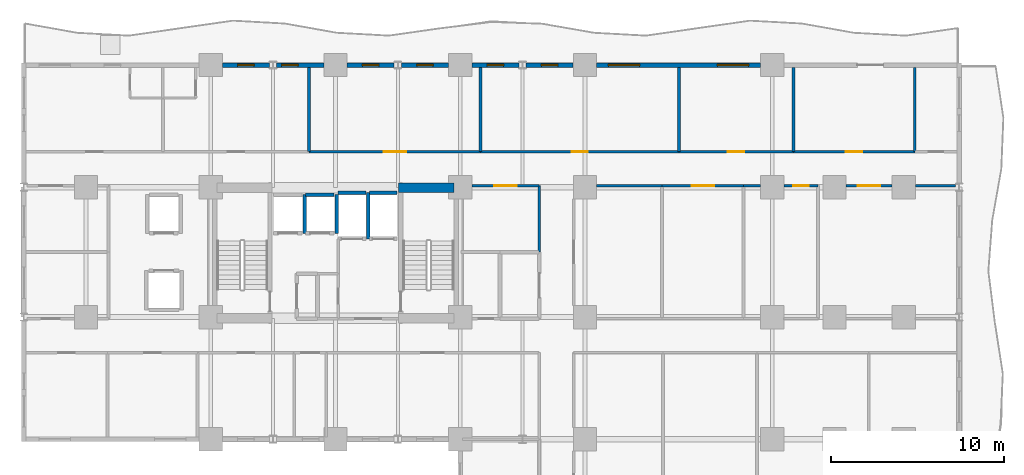
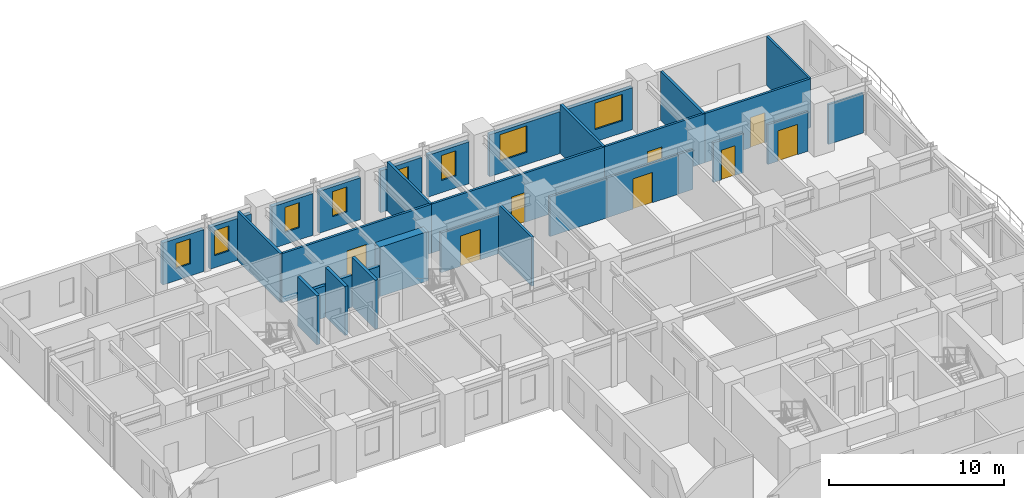
# One storey, part 7 of 11: 31 walls, 8 doors, 8 windows, 16 openings.
"""IFC4 building model written with IfcOpenShell, lengths in metres."""

from ifc_helpers import new_model, si_unit, direction, frame, frame_2d, origin, place, context, subcontext, project, spatial, rectangle, extrude, material, layer, layer_set, type_object, element, fill, save


model = new_model("IFC4")

# Units and contexts
model_context = context("Model", 3, precision=1e-05, world=origin(), true_north=direction((0.0, 1.0)))
body_context = subcontext(model_context, "Body", "Model", "MODEL_VIEW")
ifc_project = project(units=[si_unit("LENGTHUNIT", "METRE"), si_unit("AREAUNIT", "SQUARE_METRE"), si_unit("VOLUMEUNIT", "CUBIC_METRE"), si_unit("PLANEANGLEUNIT", "RADIAN"), si_unit("MASSUNIT", "GRAM", prefix="KILO")], contexts=[model_context])

# Site, building, storey
site_placement = place(None, origin())
site = spatial("IfcSite", under=ifc_project, at=site_placement, CompositionType="ELEMENT")
building_placement = place(site_placement, origin())
building = spatial("IfcBuilding", under=site, at=building_placement, Name="Kaliganga Portal Commons", CompositionType="ELEMENT")
storey_placement = place(building_placement, frame((0.0, 0.0, 40.10009765625)))
storey = spatial("IfcBuildingStorey", under=building, at=storey_placement, Name="L09", CompositionType="ELEMENT", Elevation=40.10009765625)

# Wall
ifc_material_1 = material(Name="Concrete C60/75", Category="concrete")
ifc_layer_1 = layer(ifc_material_1, 0.550048828125)
ifc_layer_set_1 = layer_set([ifc_layer_1], Name="Concrete C60/75")
wall_type_1 = type_object("IfcWallType", Name="WL-CORE-550", PredefinedType="SHEAR", material=ifc_layer_set_1)
wall_1_placement = place(storey_placement, frame((25.25, 36.125, 0.0), z_axis=(0.0, 0.0, 1.0), x_axis=(1.0, 0.0, 0.0)))
element("IfcWall", 1, at=wall_1_placement, inside=storey, type_object=wall_type_1, Name="Core A N-East Shear Wall L09", PredefinedType="SHEAR", context=body_context, shape_type="SweptSolid", body=[
    extrude(rectangle(XDim=3.199951171875, YDim=0.550048828125, at=frame_2d((1.60009765625, 0.0))), origin(), (0.0, 0.0, 1.0), 3.449951171875),
])

# Wall, openings, windows
ifc_material_2 = material(Name="Insulated Aluminium-Clad Spandrel Assembly", Category="aluminium")
ifc_layer_2 = layer(ifc_material_2, 0.260009765625)
ifc_layer_set_2 = layer_set([ifc_layer_2], Name="Insulated Aluminium-Clad Spandrel Assembly")
wall_type_2 = type_object("IfcWallType", Name="WL-EXT-SPAND-260", PredefinedType="STANDARD", material=ifc_layer_set_2)
wall_2_placement = place(storey_placement, frame((36.676025390625, 43.199951171875, 0.0), z_axis=(0.0, 0.0, 1.0), x_axis=(1.0, 0.0, 0.0)))
wall_2 = element("IfcWall", 2, at=wall_2_placement, inside=storey, type_object=wall_type_2, Name="Exterior Envelope Wall L09 P1-E02-S2", PredefinedType="STANDARD", context=body_context, shape_type="SweptSolid", body=[
    extrude(rectangle(XDim=9.447998046875, YDim=0.260009765625, at=frame_2d((4.72412109375, 0.0))), origin(), (0.0, 0.0, 1.0), 2.929931640625),
])
opening_1_placement = place(wall_2_placement, frame((0.6748046875, 0.0, 0.85009765625)))
opening_1 = element("IfcOpeningElement", 3, at=opening_1_placement, cuts=wall_2, Name="Opening W-01", PredefinedType="OPENING", context=body_context, shape_type="SweptSolid", body=[
    extrude(rectangle(XDim=1.800048828125, YDim=1.85009765625, at=frame_2d((0.89990234375, 0.925048828125))), frame((0.0, 0.14013671875, 0.0), z_axis=(0.0, -1.0, 0.0), x_axis=(1.0, 0.0, 0.0)), (0.0, 0.0, 1.0), 0.280029296875),
])
opening_2_placement = place(wall_2_placement, frame((6.973388671875, 0.0, 0.85009765625)))
opening_2 = element("IfcOpeningElement", 4, at=opening_2_placement, cuts=wall_2, Name="Opening W-01", PredefinedType="OPENING", context=body_context, shape_type="SweptSolid", body=[
    extrude(rectangle(XDim=1.800048828125, YDim=1.85009765625, at=frame_2d((0.89990234375, 0.925048828125))), frame((0.0, 0.14013671875, 0.0), z_axis=(0.0, -1.0, 0.0), x_axis=(1.0, 0.0, 0.0)), (0.0, 0.0, 1.0), 0.280029296875),
])
ifc_material_3 = material(Name="Thermally Broken Aluminium and Low-E Double Glazing", Category="aluminium")
window_type_1 = type_object("IfcWindowType", Name="WIN-STD-1800", PartitioningType="DOUBLE_PANEL_VERTICAL", PredefinedType="WINDOW", material=ifc_material_3)
window_1_placement = place(opening_1_placement, origin())
window_1 = element("IfcWindow", 5, at=window_1_placement, inside=storey, type_object=window_type_1, Name="Facade Window L09-P1E02S2-00", OverallHeight=1.85009765625, OverallWidth=1.800048828125, PartitioningType="SINGLE_PANEL", PredefinedType="WINDOW", context=body_context, shape_type="SweptSolid", body=[
    extrude(rectangle(XDim=1.800048828125, YDim=1.85009765625, at=frame_2d((0.89990234375, 0.925048828125))), frame((0.0, 0.030029296875, 0.0), z_axis=(0.0, -1.0, 0.0), x_axis=(1.0, 0.0, 0.0)), (0.0, 0.0, 1.0), 0.06005859375),
])
fill(opening_1, window_1)
window_2_placement = place(opening_2_placement, origin())
window_2 = element("IfcWindow", 6, at=window_2_placement, inside=storey, type_object=window_type_1, Name="Facade Window L09-P1E02S2-02", OverallHeight=1.85009765625, OverallWidth=1.800048828125, PartitioningType="SINGLE_PANEL", PredefinedType="WINDOW", context=body_context, shape_type="SweptSolid", body=[
    extrude(rectangle(XDim=1.800048828125, YDim=1.85009765625, at=frame_2d((0.89990234375, 0.925048828125))), frame((0.0, 0.030029296875, 0.0), z_axis=(0.0, -1.0, 0.0), x_axis=(1.0, 0.0, 0.0)), (0.0, 0.0, 1.0), 0.06005859375),
])
fill(opening_2, window_2)

# Wall, opening, window
wall_3_placement = place(storey_placement, frame((32.60888671875, 43.199951171875, 0.0), z_axis=(0.0, 0.0, 1.0), x_axis=(1.0, 0.0, 0.0)))
wall_3 = element("IfcWall", 7, at=wall_3_placement, inside=storey, type_object=wall_type_2, Name="Exterior Envelope Wall L09 P1-E02-S3", PredefinedType="STANDARD", context=body_context, shape_type="SweptSolid", body=[
    extrude(rectangle(XDim=2.715087890625, YDim=0.260009765625, at=frame_2d((1.357421875, 0.0))), origin(), (0.0, 0.0, 1.0), 2.929931640625),
])
opening_3_placement = place(wall_3_placement, frame((0.882568359375, 0.0, 0.85009765625)))
opening_3 = element("IfcOpeningElement", 8, at=opening_3_placement, cuts=wall_3, Name="Opening W-04", PredefinedType="OPENING", context=body_context, shape_type="SweptSolid", body=[
    extrude(rectangle(XDim=0.949951171875, YDim=1.75, at=frame_2d((0.47509765625, 0.875))), frame((0.0, 0.14013671875, 0.0), z_axis=(0.0, -1.0, 0.0), x_axis=(1.0, 0.0, 0.0)), (0.0, 0.0, 1.0), 0.280029296875),
])
window_type_2 = type_object("IfcWindowType", Name="WIN-NARROW-950", PartitioningType="SINGLE_PANEL", PredefinedType="WINDOW", material=ifc_material_3)
window_3_placement = place(opening_3_placement, origin())
window_3 = element("IfcWindow", 9, at=window_3_placement, inside=storey, type_object=window_type_2, Name="Facade Window L09-P1E02S3-00", OverallHeight=1.75, OverallWidth=0.949951171875, PartitioningType="SINGLE_PANEL", PredefinedType="WINDOW", context=body_context, shape_type="SweptSolid", body=[
    extrude(rectangle(XDim=0.949951171875, YDim=1.75, at=frame_2d((0.47509765625, 0.875))), frame((0.0, 0.030029296875, 0.0), z_axis=(0.0, -1.0, 0.0), x_axis=(1.0, 0.0, 0.0)), (0.0, 0.0, 1.0), 0.06005859375),
])
fill(opening_3, window_3)

wall_4_placement = place(storey_placement, frame((29.47607421875, 43.199951171875, 0.0), z_axis=(0.0, 0.0, 1.0), x_axis=(1.0, 0.0, 0.0)))
wall_4 = element("IfcWall", 10, at=wall_4_placement, inside=storey, type_object=wall_type_2, Name="Exterior Envelope Wall L09 P1-E02-S4", PredefinedType="STANDARD", context=body_context, shape_type="SweptSolid", body=[
    extrude(rectangle(XDim=2.71484375, YDim=0.260009765625, at=frame_2d((1.357421875, 0.0))), origin(), (0.0, 0.0, 1.0), 2.929931640625),
])
opening_4_placement = place(wall_4_placement, frame((0.882568359375, 0.0, 0.85009765625)))
opening_4 = element("IfcOpeningElement", 11, at=opening_4_placement, cuts=wall_4, Name="Opening W-04", PredefinedType="OPENING", context=body_context, shape_type="SweptSolid", body=[
    extrude(rectangle(XDim=0.949951171875, YDim=1.75, at=frame_2d((0.47509765625, 0.875))), frame((0.0, 0.14013671875, 0.0), z_axis=(0.0, -1.0, 0.0), x_axis=(1.0, 0.0, 0.0)), (0.0, 0.0, 1.0), 0.280029296875),
])
window_4_placement = place(opening_4_placement, origin())
window_4 = element("IfcWindow", 12, at=window_4_placement, inside=storey, type_object=window_type_2, Name="Facade Window L09-P1E02S4-00", OverallHeight=1.75, OverallWidth=0.949951171875, PartitioningType="SINGLE_PANEL", PredefinedType="WINDOW", context=body_context, shape_type="SweptSolid", body=[
    extrude(rectangle(XDim=0.949951171875, YDim=1.75, at=frame_2d((0.47509765625, 0.875))), frame((0.0, 0.030029296875, 0.0), z_axis=(0.0, -1.0, 0.0), x_axis=(1.0, 0.0, 0.0)), (0.0, 0.0, 1.0), 0.06005859375),
])
fill(opening_4, window_4)

wall_5_placement = place(storey_placement, frame((25.408935546875, 43.199951171875, 0.0), z_axis=(0.0, 0.0, 1.0), x_axis=(1.0, 0.0, 0.0)))
wall_5 = element("IfcWall", 13, at=wall_5_placement, inside=storey, type_object=wall_type_2, Name="Exterior Envelope Wall L09 P1-E02-S5", PredefinedType="STANDARD", context=body_context, shape_type="SweptSolid", body=[
    extrude(rectangle(XDim=2.715087890625, YDim=0.260009765625, at=frame_2d((1.357421875, 0.0))), origin(), (0.0, 0.0, 1.0), 2.929931640625),
])
opening_5_placement = place(wall_5_placement, frame((0.882568359375, 0.0, 0.85009765625)))
opening_5 = element("IfcOpeningElement", 14, at=opening_5_placement, cuts=wall_5, Name="Opening W-04", PredefinedType="OPENING", context=body_context, shape_type="SweptSolid", body=[
    extrude(rectangle(XDim=0.949951171875, YDim=1.75, at=frame_2d((0.47509765625, 0.875))), frame((0.0, 0.14013671875, 0.0), z_axis=(0.0, -1.0, 0.0), x_axis=(1.0, 0.0, 0.0)), (0.0, 0.0, 1.0), 0.280029296875),
])
window_5_placement = place(opening_5_placement, origin())
window_5 = element("IfcWindow", 15, at=window_5_placement, inside=storey, type_object=window_type_2, Name="Facade Window L09-P1E02S5-00", OverallHeight=1.75, OverallWidth=0.949951171875, PartitioningType="SINGLE_PANEL", PredefinedType="WINDOW", context=body_context, shape_type="SweptSolid", body=[
    extrude(rectangle(XDim=0.949951171875, YDim=1.75, at=frame_2d((0.47509765625, 0.875))), frame((0.0, 0.030029296875, 0.0), z_axis=(0.0, -1.0, 0.0), x_axis=(1.0, 0.0, 0.0)), (0.0, 0.0, 1.0), 0.06005859375),
])
fill(opening_5, window_5)

wall_6_placement = place(storey_placement, frame((22.27587890625, 43.199951171875, 0.0), z_axis=(0.0, 0.0, 1.0), x_axis=(1.0, 0.0, 0.0)))
wall_6 = element("IfcWall", 16, at=wall_6_placement, inside=storey, type_object=wall_type_2, Name="Exterior Envelope Wall L09 P1-E02-S6", PredefinedType="STANDARD", context=body_context, shape_type="SweptSolid", body=[
    extrude(rectangle(XDim=2.715087890625, YDim=0.260009765625, at=frame_2d((1.357421875, 0.0))), origin(), (0.0, 0.0, 1.0), 2.929931640625),
])
opening_6_placement = place(wall_6_placement, frame((0.882568359375, 0.0, 0.85009765625)))
opening_6 = element("IfcOpeningElement", 17, at=opening_6_placement, cuts=wall_6, Name="Opening W-04", PredefinedType="OPENING", context=body_context, shape_type="SweptSolid", body=[
    extrude(rectangle(XDim=0.949951171875, YDim=1.75, at=frame_2d((0.47509765625, 0.875))), frame((0.0, 0.14013671875, 0.0), z_axis=(0.0, -1.0, 0.0), x_axis=(1.0, 0.0, 0.0)), (0.0, 0.0, 1.0), 0.280029296875),
])
window_6_placement = place(opening_6_placement, origin())
window_6 = element("IfcWindow", 18, at=window_6_placement, inside=storey, type_object=window_type_2, Name="Facade Window L09-P1E02S6-00", OverallHeight=1.75, OverallWidth=0.949951171875, PartitioningType="SINGLE_PANEL", PredefinedType="WINDOW", context=body_context, shape_type="SweptSolid", body=[
    extrude(rectangle(XDim=0.949951171875, YDim=1.75, at=frame_2d((0.47509765625, 0.875))), frame((0.0, 0.030029296875, 0.0), z_axis=(0.0, -1.0, 0.0), x_axis=(1.0, 0.0, 0.0)), (0.0, 0.0, 1.0), 0.06005859375),
])
fill(opening_6, window_6)

wall_7_placement = place(storey_placement, frame((18.208984375, 43.199951171875, 0.0), z_axis=(0.0, 0.0, 1.0), x_axis=(1.0, 0.0, 0.0)))
wall_7 = element("IfcWall", 19, at=wall_7_placement, inside=storey, type_object=wall_type_2, Name="Exterior Envelope Wall L09 P1-E02-S7", PredefinedType="STANDARD", context=body_context, shape_type="SweptSolid", body=[
    extrude(rectangle(XDim=2.715087890625, YDim=0.260009765625, at=frame_2d((1.357421875, 0.0))), origin(), (0.0, 0.0, 1.0), 2.929931640625),
])
opening_7_placement = place(wall_7_placement, frame((0.28515625, 0.0, 0.85009765625)))
opening_7 = element("IfcOpeningElement", 20, at=opening_7_placement, cuts=wall_7, Name="Opening W-04", PredefinedType="OPENING", context=body_context, shape_type="SweptSolid", body=[
    extrude(rectangle(XDim=0.949951171875, YDim=1.75, at=frame_2d((0.47509765625, 0.875))), frame((0.0, 0.14013671875, 0.0), z_axis=(0.0, -1.0, 0.0), x_axis=(1.0, 0.0, 0.0)), (0.0, 0.0, 1.0), 0.280029296875),
])
window_7_placement = place(opening_7_placement, origin())
window_7 = element("IfcWindow", 21, at=window_7_placement, inside=storey, type_object=window_type_2, Name="Facade Window L09-P1E02S7-N3", OverallHeight=1.75, OverallWidth=0.949951171875, PartitioningType="SINGLE_PANEL", PredefinedType="WINDOW", context=body_context, shape_type="SweptSolid", body=[
    extrude(rectangle(XDim=0.949951171875, YDim=1.75, at=frame_2d((0.47509765625, 0.875))), frame((0.0, 0.030029296875, 0.0), z_axis=(0.0, -1.0, 0.0), x_axis=(1.0, 0.0, 0.0)), (0.0, 0.0, 1.0), 0.06005859375),
])
fill(opening_7, window_7)

wall_8_placement = place(storey_placement, frame((15.075927734375, 43.199951171875, 0.0), z_axis=(0.0, 0.0, 1.0), x_axis=(1.0, 0.0, 0.0)))
wall_8 = element("IfcWall", 22, at=wall_8_placement, inside=storey, type_object=wall_type_2, Name="Exterior Envelope Wall L09 P1-E02-S8", PredefinedType="STANDARD", context=body_context, shape_type="SweptSolid", body=[
    extrude(rectangle(XDim=2.715087890625, YDim=0.260009765625, at=frame_2d((1.357421875, 0.0))), origin(), (0.0, 0.0, 1.0), 2.929931640625),
])
opening_8_placement = place(wall_8_placement, frame((0.882568359375, 0.0, 0.85009765625)))
opening_8 = element("IfcOpeningElement", 23, at=opening_8_placement, cuts=wall_8, Name="Opening W-04", PredefinedType="OPENING", context=body_context, shape_type="SweptSolid", body=[
    extrude(rectangle(XDim=0.949951171875, YDim=1.75, at=frame_2d((0.47509765625, 0.875))), frame((0.0, 0.14013671875, 0.0), z_axis=(0.0, -1.0, 0.0), x_axis=(1.0, 0.0, 0.0)), (0.0, 0.0, 1.0), 0.280029296875),
])
window_8_placement = place(opening_8_placement, origin())
window_8 = element("IfcWindow", 24, at=window_8_placement, inside=storey, type_object=window_type_2, Name="Facade Window L09-P1E02S8-00", OverallHeight=1.75, OverallWidth=0.949951171875, PartitioningType="SINGLE_PANEL", PredefinedType="WINDOW", context=body_context, shape_type="SweptSolid", body=[
    extrude(rectangle(XDim=0.949951171875, YDim=1.75, at=frame_2d((0.47509765625, 0.875))), frame((0.0, 0.030029296875, 0.0), z_axis=(0.0, -1.0, 0.0), x_axis=(1.0, 0.0, 0.0)), (0.0, 0.0, 1.0), 0.06005859375),
])
fill(opening_8, window_8)

# Wall, opening, door
ifc_material_4 = material(Name="Fire-Rated Gypsum Board on Steel Stud", Category="steel")
ifc_layer_3 = layer(ifc_material_4, 0.14990234375)
ifc_layer_set_3 = layer_set([ifc_layer_3], Name="Fire-Rated Gypsum Board on Steel Stud")
wall_type_3 = type_object("IfcWallType", Name="WL-PART-CORR-150", PredefinedType="PARTITIONING", material=ifc_layer_set_3)
wall_9_placement = place(storey_placement, frame((29.97998046875, 38.199951171875, 0.0), z_axis=(0.0, 0.0, 1.0), x_axis=(1.0, 0.0, 0.0)))
wall_9 = element("IfcWall", 25, at=wall_9_placement, inside=storey, type_object=wall_type_3, Name="Interior Partition L09-007", PredefinedType="PARTITIONING", context=body_context, shape_type="SweptSolid", body=[
    extrude(rectangle(XDim=11.43994140625, YDim=0.14990234375, at=frame_2d((5.719970703125, 0.0))), origin(), (0.0, 0.0, 1.0), 3.429931640625),
])
opening_9_placement = place(wall_9_placement, frame((5.27001953125, 0.0, 0.0)))
opening_9 = element("IfcOpeningElement", 26, at=opening_9_placement, cuts=wall_9, Name="Opening RD-01", PredefinedType="OPENING", context=body_context, shape_type="SweptSolid", body=[
    extrude(rectangle(XDim=0.89990234375, YDim=2.080078125, at=frame_2d((0.449951171875, 1.0400390625))), frame((0.0, 0.0849609375, 0.0), z_axis=(0.0, -1.0, 0.0), x_axis=(1.0, 0.0, 0.0)), (0.0, 0.0, 1.0), 0.169921875),
])
ifc_material_5 = material(Name="Engineered Timber Flush Door", Category="wood")
door_type_1 = type_object("IfcDoorType", Name="DR-ROOM-900", OperationType="NOTDEFINED", PredefinedType="DOOR", material=ifc_material_5)
door_1_placement = place(opening_9_placement, origin())
door_1 = element("IfcDoor", 27, at=door_1_placement, inside=storey, type_object=door_type_1, Name="Interior Door L09-AN04", OperationType="SINGLE_SWING_RIGHT", OverallHeight=2.080078125, OverallWidth=0.89990234375, PredefinedType="DOOR", context=body_context, shape_type="SweptSolid", body=[
    extrude(rectangle(XDim=0.89990234375, YDim=2.080078125, at=frame_2d((0.449951171875, 1.0400390625))), frame((0.0, 0.02490234375, 0.0), z_axis=(0.0, -1.0, 0.0), x_axis=(1.0, 0.0, 0.0)), (0.0, 0.0, 1.0), 0.050048828125),
])
fill(opening_9, door_1)

wall_10_placement = place(storey_placement, frame((20.080078125, 38.199951171875, 0.0), z_axis=(0.0, 0.0, 1.0), x_axis=(1.0, 0.0, 0.0)))
wall_10 = element("IfcWall", 28, at=wall_10_placement, inside=storey, type_object=wall_type_3, Name="Interior Partition L09-009", PredefinedType="PARTITIONING", context=body_context, shape_type="SweptSolid", body=[
    extrude(rectangle(XDim=9.89990234375, YDim=0.14990234375, at=frame_2d((4.949951171875, 0.0))), origin(), (0.0, 0.0, 1.0), 3.429931640625),
])
opening_10_placement = place(wall_10_placement, frame((4.300048828125, 0.0, 0.0)))
opening_10 = element("IfcOpeningElement", 29, at=opening_10_placement, cuts=wall_10, Name="Opening RD-03", PredefinedType="OPENING", context=body_context, shape_type="SweptSolid", body=[
    extrude(rectangle(XDim=1.300048828125, YDim=2.1201171875, at=frame_2d((0.64990234375, 1.06005859375))), frame((0.0, 0.0849609375, 0.0), z_axis=(0.0, -1.0, 0.0), x_axis=(1.0, 0.0, 0.0)), (0.0, 0.0, 1.0), 0.169921875),
])
ifc_material_6 = material(Name="Glazed Timber Seminar Vision Door", Category="wood")
door_type_2 = type_object("IfcDoorType", Name="DR-STUDY-1300", OperationType="DOUBLE_DOOR_SINGLE_SWING", PredefinedType="DOOR", material=ifc_material_6)
door_2_placement = place(opening_10_placement, origin())
door_2 = element("IfcDoor", 30, at=door_2_placement, inside=storey, type_object=door_type_2, Name="Interior Door L09-AN03", OperationType="DOUBLE_DOOR_SINGLE_SWING", OverallHeight=2.1201171875, OverallWidth=1.300048828125, PredefinedType="DOOR", context=body_context, shape_type="SweptSolid", body=[
    extrude(rectangle(XDim=1.300048828125, YDim=2.1201171875, at=frame_2d((0.64990234375, 1.06005859375))), frame((0.0, 0.02490234375, 0.0), z_axis=(0.0, -1.0, 0.0), x_axis=(1.0, 0.0, 0.0)), (0.0, 0.0, 1.0), 0.050048828125),
])
fill(opening_10, door_2)

wall_11_placement = place(storey_placement, frame((51.074951171875, 36.239990234375, 0.0), z_axis=(0.0, 0.0, 1.0), x_axis=(1.0, 0.0, 0.0)))
wall_11 = element("IfcWall", 31, at=wall_11_placement, inside=storey, type_object=wall_type_3, Name="Interior Partition L09-015", PredefinedType="PARTITIONING", context=body_context, shape_type="SweptSolid", body=[
    extrude(rectangle(XDim=2.650146484375, YDim=0.14990234375, at=frame_2d((1.3251953125, 0.0))), origin(), (0.0, 0.0, 1.0), 2.77978515625),
])
opening_11_placement = place(wall_11_placement, frame((0.675048828125, 0.0, 0.0)))
opening_11 = element("IfcOpeningElement", 32, at=opening_11_placement, cuts=wall_11, Name="Opening RD-03", PredefinedType="OPENING", context=body_context, shape_type="SweptSolid", body=[
    extrude(rectangle(XDim=1.300048828125, YDim=2.1201171875, at=frame_2d((0.64990234375, 1.06005859375))), frame((0.0, 0.0849609375, 0.0), z_axis=(0.0, -1.0, 0.0), x_axis=(1.0, 0.0, 0.0)), (0.0, 0.0, 1.0), 0.169921875),
])
door_3_placement = place(opening_11_placement, origin())
door_3 = element("IfcDoor", 33, at=door_3_placement, inside=storey, type_object=door_type_2, Name="Interior Door L09-BK04", OperationType="DOUBLE_DOOR_SINGLE_SWING", OverallHeight=2.1201171875, OverallWidth=1.300048828125, PredefinedType="DOOR", context=body_context, shape_type="SweptSolid", body=[
    extrude(rectangle(XDim=1.300048828125, YDim=2.1201171875, at=frame_2d((0.64990234375, 1.06005859375))), frame((0.0, 0.02490234375, 0.0), z_axis=(0.0, -1.0, 0.0), x_axis=(1.0, 0.0, 0.0)), (0.0, 0.0, 1.0), 0.050048828125),
])
fill(opening_11, door_3)

# Wall
wall_12_placement = place(storey_placement, frame((55.074951171875, 36.239990234375, 0.0), z_axis=(0.0, 0.0, 1.0), x_axis=(1.0, 0.0, 0.0)))
element("IfcWall", 34, at=wall_12_placement, inside=storey, type_object=wall_type_3, Name="Interior Partition L09-016", PredefinedType="PARTITIONING", context=body_context, shape_type="SweptSolid", body=[
    extrude(rectangle(XDim=2.317138671875, YDim=0.14990234375, at=frame_2d((1.15869140625, 0.0))), origin(), (0.0, 0.0, 1.0), 2.77978515625),
])

# Wall, opening, door
wall_13_placement = place(storey_placement, frame((48.0400390625, 38.199951171875, 0.0), z_axis=(0.0, 0.0, 1.0), x_axis=(1.0, 0.0, 0.0)))
wall_13 = element("IfcWall", 35, at=wall_13_placement, inside=storey, type_object=wall_type_3, Name="Interior Partition L09-025", PredefinedType="PARTITIONING", context=body_context, shape_type="SweptSolid", body=[
    extrude(rectangle(XDim=7.0, YDim=0.14990234375, at=frame_2d((3.5, 0.0))), origin(), (0.0, 0.0, 1.0), 3.429931640625),
])
opening_12_placement = place(wall_13_placement, frame((3.02490234375, 0.0, 0.0)))
opening_12 = element("IfcOpeningElement", 36, at=opening_12_placement, cuts=wall_13, Name="Opening UD-01", PredefinedType="OPENING", context=body_context, shape_type="SweptSolid", body=[
    extrude(rectangle(XDim=0.949951171875, YDim=2.10009765625, at=frame_2d((0.47509765625, 1.050048828125))), frame((0.0, 0.0849609375, 0.0), z_axis=(0.0, -1.0, 0.0), x_axis=(1.0, 0.0, 0.0)), (0.0, 0.0, 1.0), 0.169921875),
])
ifc_material_7 = material(Name="Solid-Core Timber Acoustic Fire Door", Category="wood")
door_type_3 = type_object("IfcDoorType", Name="DR-UNIT-950", OperationType="NOTDEFINED", PredefinedType="DOOR", material=ifc_material_7)
door_4_placement = place(opening_12_placement, origin())
door_4 = element("IfcDoor", 37, at=door_4_placement, inside=storey, type_object=door_type_3, Name="Interior Door L09-AN06", OperationType="SINGLE_SWING_LEFT", OverallHeight=2.10009765625, OverallWidth=0.949951171875, PredefinedType="DOOR", context=body_context, shape_type="SweptSolid", body=[
    extrude(rectangle(XDim=0.949951171875, YDim=2.10009765625, at=frame_2d((0.47509765625, 1.050048828125))), frame((0.0, 0.02490234375, 0.0), z_axis=(0.0, -1.0, 0.0), x_axis=(1.0, 0.0, 0.0)), (0.0, 0.0, 1.0), 0.050048828125),
])
fill(opening_12, door_4)

wall_14_placement = place(storey_placement, frame((41.419921875, 38.199951171875, 0.0), z_axis=(0.0, 0.0, 1.0), x_axis=(1.0, 0.0, 0.0)))
wall_14 = element("IfcWall", 38, at=wall_14_placement, inside=storey, type_object=wall_type_3, Name="Interior Partition L09-026", PredefinedType="PARTITIONING", context=body_context, shape_type="SweptSolid", body=[
    extrude(rectangle(XDim=6.6201171875, YDim=0.14990234375, at=frame_2d((3.31005859375, 0.0))), origin(), (0.0, 0.0, 1.0), 3.429931640625),
])
opening_13_placement = place(wall_14_placement, frame((2.8349609375, 0.0, 0.0)))
opening_13 = element("IfcOpeningElement", 39, at=opening_13_placement, cuts=wall_14, Name="Opening UD-01", PredefinedType="OPENING", context=body_context, shape_type="SweptSolid", body=[
    extrude(rectangle(XDim=0.949951171875, YDim=2.10009765625, at=frame_2d((0.47509765625, 1.050048828125))), frame((0.0, 0.0849609375, 0.0), z_axis=(0.0, -1.0, 0.0), x_axis=(1.0, 0.0, 0.0)), (0.0, 0.0, 1.0), 0.169921875),
])
door_5_placement = place(opening_13_placement, origin())
door_5 = element("IfcDoor", 40, at=door_5_placement, inside=storey, type_object=door_type_3, Name="Interior Door L09-AN05", OperationType="SINGLE_SWING_RIGHT", OverallHeight=2.10009765625, OverallWidth=0.949951171875, PredefinedType="DOOR", context=body_context, shape_type="SweptSolid", body=[
    extrude(rectangle(XDim=0.949951171875, YDim=2.10009765625, at=frame_2d((0.47509765625, 1.050048828125))), frame((0.0, 0.02490234375, 0.0), z_axis=(0.0, -1.0, 0.0), x_axis=(1.0, 0.0, 0.0)), (0.0, 0.0, 1.0), 0.050048828125),
])
fill(opening_13, door_5)

# Wall
wall_15_placement = place(storey_placement, frame((36.675048828125, 36.239990234375, 0.0), z_axis=(0.0, 0.0, 1.0), x_axis=(1.0, 0.0, 0.0)))
element("IfcWall", 41, at=wall_15_placement, inside=storey, type_object=wall_type_3, Name="Interior Partition L09-033", PredefinedType="PARTITIONING", context=body_context, shape_type="SweptSolid", body=[
    extrude(rectangle(XDim=3.764892578125, YDim=0.14990234375, at=frame_2d((1.88232421875, 0.0))), origin(), (0.0, 0.0, 1.0), 2.77978515625),
])

# Wall, opening, door
wall_16_placement = place(storey_placement, frame((40.43994140625, 36.239990234375, 0.0), z_axis=(0.0, 0.0, 1.0), x_axis=(1.0, 0.0, 0.0)))
wall_16 = element("IfcWall", 42, at=wall_16_placement, inside=storey, type_object=wall_type_3, Name="Interior Partition L09-040", PredefinedType="PARTITIONING", context=body_context, shape_type="SweptSolid", body=[
    extrude(rectangle(XDim=4.719970703125, YDim=0.14990234375, at=frame_2d((2.35986328125, 0.0))), origin(), (0.0, 0.0, 1.0), 2.77978515625),
])
opening_14_placement = place(wall_16_placement, frame((1.7099609375, 0.0, 0.0)))
opening_14 = element("IfcOpeningElement", 43, at=opening_14_placement, cuts=wall_16, Name="Opening RD-03", PredefinedType="OPENING", context=body_context, shape_type="SweptSolid", body=[
    extrude(rectangle(XDim=1.300048828125, YDim=2.1201171875, at=frame_2d((0.64990234375, 1.06005859375))), frame((0.0, 0.0849609375, 0.0), z_axis=(0.0, -1.0, 0.0), x_axis=(1.0, 0.0, 0.0)), (0.0, 0.0, 1.0), 0.169921875),
])
door_6_placement = place(opening_14_placement, origin())
door_6 = element("IfcDoor", 44, at=door_6_placement, inside=storey, type_object=door_type_2, Name="Interior Door L09-BK02", OperationType="DOUBLE_DOOR_SINGLE_SWING", OverallHeight=2.1201171875, OverallWidth=1.300048828125, PredefinedType="DOOR", context=body_context, shape_type="SweptSolid", body=[
    extrude(rectangle(XDim=1.300048828125, YDim=2.1201171875, at=frame_2d((0.64990234375, 1.06005859375))), frame((0.0, 0.02490234375, 0.0), z_axis=(0.0, -1.0, 0.0), x_axis=(1.0, 0.0, 0.0)), (0.0, 0.0, 1.0), 0.050048828125),
])
fill(opening_14, door_6)

wall_17_placement = place(storey_placement, frame((29.47509765625, 36.239990234375, 0.0), z_axis=(0.0, 0.0, 1.0), x_axis=(1.0, 0.0, 0.0)))
wall_17 = element("IfcWall", 45, at=wall_17_placement, inside=storey, type_object=wall_type_3, Name="Interior Partition L09-042", PredefinedType="PARTITIONING", context=body_context, shape_type="SweptSolid", body=[
    extrude(rectangle(XDim=3.885009765625, YDim=0.14990234375, at=frame_2d((1.9423828125, 0.0))), origin(), (0.0, 0.0, 1.0), 2.77978515625),
])
opening_15_placement = place(wall_17_placement, frame((1.29248046875, 0.0, 0.0)))
opening_15 = element("IfcOpeningElement", 46, at=opening_15_placement, cuts=wall_17, Name="Opening RD-03", PredefinedType="OPENING", context=body_context, shape_type="SweptSolid", body=[
    extrude(rectangle(XDim=1.300048828125, YDim=2.1201171875, at=frame_2d((0.64990234375, 1.06005859375))), frame((0.0, 0.0849609375, 0.0), z_axis=(0.0, -1.0, 0.0), x_axis=(1.0, 0.0, 0.0)), (0.0, 0.0, 1.0), 0.169921875),
])
door_7_placement = place(opening_15_placement, origin())
door_7 = element("IfcDoor", 47, at=door_7_placement, inside=storey, type_object=door_type_2, Name="Interior Door L09-CSRV_A2", OperationType="DOUBLE_DOOR_SINGLE_SWING", OverallHeight=2.1201171875, OverallWidth=1.300048828125, PredefinedType="DOOR", context=body_context, shape_type="SweptSolid", body=[
    extrude(rectangle(XDim=1.300048828125, YDim=2.1201171875, at=frame_2d((0.64990234375, 1.06005859375))), frame((0.0, 0.02490234375, 0.0), z_axis=(0.0, -1.0, 0.0), x_axis=(1.0, 0.0, 0.0)), (0.0, 0.0, 1.0), 0.050048828125),
])
fill(opening_15, door_7)

# Wall
wall_18_placement = place(storey_placement, frame((45.159912109375, 36.239990234375, 0.0), z_axis=(0.0, 0.0, 1.0), x_axis=(1.0, 0.0, 0.0)))
element("IfcWall", 48, at=wall_18_placement, inside=storey, type_object=wall_type_3, Name="Interior Partition L09-043", PredefinedType="PARTITIONING", context=body_context, shape_type="SweptSolid", body=[
    extrude(rectangle(XDim=0.965087890625, YDim=0.14990234375, at=frame_2d((0.482421875, 0.0))), origin(), (0.0, 0.0, 1.0), 2.77978515625),
])

# Wall, opening, door
wall_19_placement = place(storey_placement, frame((47.47509765625, 36.239990234375, 0.0), z_axis=(0.0, 0.0, 1.0), x_axis=(1.0, 0.0, 0.0)))
wall_19 = element("IfcWall", 49, at=wall_19_placement, inside=storey, type_object=wall_type_3, Name="Interior Partition L09-044", PredefinedType="PARTITIONING", context=body_context, shape_type="SweptSolid", body=[
    extrude(rectangle(XDim=1.98486328125, YDim=0.14990234375, at=frame_2d((0.992431640625, 0.0))), origin(), (0.0, 0.0, 1.0), 2.77978515625),
])
opening_16_placement = place(wall_19_placement, frame((0.54248046875, 0.0, 0.0)))
opening_16 = element("IfcOpeningElement", 50, at=opening_16_placement, cuts=wall_19, Name="Opening RD-01", PredefinedType="OPENING", context=body_context, shape_type="SweptSolid", body=[
    extrude(rectangle(XDim=0.89990234375, YDim=2.080078125, at=frame_2d((0.449951171875, 1.0400390625))), frame((0.0, 0.0849609375, 0.0), z_axis=(0.0, -1.0, 0.0), x_axis=(1.0, 0.0, 0.0)), (0.0, 0.0, 1.0), 0.169921875),
])
door_8_placement = place(opening_16_placement, origin())
door_8 = element("IfcDoor", 51, at=door_8_placement, inside=storey, type_object=door_type_1, Name="Interior Door L09-BK03", OperationType="SINGLE_SWING_RIGHT", OverallHeight=2.080078125, OverallWidth=0.89990234375, PredefinedType="DOOR", context=body_context, shape_type="SweptSolid", body=[
    extrude(rectangle(XDim=0.89990234375, YDim=2.080078125, at=frame_2d((0.449951171875, 1.0400390625))), frame((0.0, 0.02490234375, 0.0), z_axis=(0.0, -1.0, 0.0), x_axis=(1.0, 0.0, 0.0)), (0.0, 0.0, 1.0), 0.050048828125),
])
fill(opening_16, door_8)

# Walls
wall_20_placement = place(storey_placement, frame((33.360107421875, 32.39990234375, 0.0), z_axis=(0.0, 0.0, 1.0), x_axis=(0.0, 1.0, 0.0)))
element("IfcWall", 52, at=wall_20_placement, inside=storey, type_object=wall_type_3, Name="Interior Partition L09-046", PredefinedType="PARTITIONING", context=body_context, shape_type="SweptSolid", body=[
    extrude(rectangle(XDim=3.840087890625, YDim=0.14990234375, at=frame_2d((1.919921875, 0.0))), origin(), (0.0, 0.0, 1.0), 3.429931640625),
])
ifc_material_8 = material(Name="Twin-Stud Acoustic Gypsum Partition", Category="gypsum")
ifc_layer_4 = layer(ifc_material_8, 0.1650390625)
ifc_layer_set_4 = layer_set([ifc_layer_4], Name="Twin-Stud Acoustic Gypsum Partition")
wall_type_4 = type_object("IfcWallType", Name="WL-PART-UNIT-165", PredefinedType="PARTITIONING", material=ifc_layer_set_4)
for number, where, z_axis, x_axis, name in (
    (53, (20.080078125, 38.199951171875, 0.0), (0.0, 0.0, 1.0), (0.0, 1.0, 0.0), "Interior Partition L09-075"),
    (54, (29.97998046875, 38.199951171875, 0.0), (0.0, 0.0, 1.0), (0.0, 1.0, 0.0), "Interior Partition L09-077"),
    (55, (41.419921875, 38.199951171875, 0.0), (0.0, 0.0, 1.0), (0.0, 1.0, 0.0), "Interior Partition L09-078"),
    (56, (48.0400390625, 38.199951171875, 0.0), (0.0, 0.0, 1.0), (0.0, 1.0, 0.0), "Interior Partition L09-079"),
):
    element("IfcWall", number, at=place(storey_placement, frame(where, z_axis=z_axis, x_axis=x_axis)), inside=storey, type_object=wall_type_4, Name=name, PredefinedType="PARTITIONING", context=body_context, shape_type="SweptSolid", body=[
        extrude(rectangle(XDim=4.8681640625, YDim=0.1650390625, at=frame_2d((2.43408203125, 0.0))), origin(), (0.0, 0.0, 1.0), 3.429931640625),
    ])
ifc_material_9 = material(Name="Cement-Board Wet-Room Partition", Category="gypsum")
ifc_layer_5 = layer(ifc_material_9, 0.135009765625)
ifc_layer_set_5 = layer_set([ifc_layer_5], Name="Cement-Board Wet-Room Partition")
wall_type_5 = type_object("IfcWallType", Name="WL-PART-WET-135", PredefinedType="PARTITIONING", material=ifc_layer_set_5)
wall_21_placement = place(storey_placement, frame((55.0400390625, 38.199951171875, 0.0), z_axis=(0.0, 0.0, 1.0), x_axis=(0.0, 1.0, 0.0)))
element("IfcWall", 57, at=wall_21_placement, inside=storey, type_object=wall_type_5, Name="Interior Partition L09-080", PredefinedType="PARTITIONING", context=body_context, shape_type="SweptSolid", body=[
    extrude(rectangle(XDim=4.8681640625, YDim=0.135009765625, at=frame_2d((2.43408203125, 0.0))), origin(), (0.0, 0.0, 1.0), 3.429931640625),
])
ifc_material_10 = material(Name="Fire-Rated Shaftwall Masonry Assembly", Category="masonry")
ifc_layer_6 = layer(ifc_material_10, 0.199951171875)
ifc_layer_set_6 = layer_set([ifc_layer_6], Name="Fire-Rated Shaftwall Masonry Assembly")
wall_type_6 = type_object("IfcWallType", Name="WL-SHAFT-200", PredefinedType="PARTITIONING", material=ifc_layer_set_6)
wall_22_placement = place(storey_placement, frame((19.81494140625, 33.485107421875, 0.0), z_axis=(0.0, 0.0, 1.0), x_axis=(0.0, 1.0, 0.0)))
element("IfcWall", 58, at=wall_22_placement, inside=storey, type_object=wall_type_6, Name="Lift PL-A1 Hoistway Shaft Wall L09-E", PredefinedType="PARTITIONING", context=body_context, shape_type="SweptSolid", body=[
    extrude(rectangle(XDim=2.22998046875, YDim=0.199951171875, at=frame_2d((1.114990234375, 0.0))), origin(), (0.0, 0.0, 1.0), 3.429931640625),
])
wall_23_placement = place(storey_placement, frame((19.875, 35.715087890625, 0.0), z_axis=(0.0, 0.0, 1.0), x_axis=(1.0, 0.0, 0.0)))
element("IfcWall", 59, at=wall_23_placement, inside=storey, type_object=wall_type_6, Name="Lift PL-A2 Hoistway Shaft Wall L09-N", PredefinedType="PARTITIONING", context=body_context, shape_type="SweptSolid", body=[
    extrude(rectangle(XDim=1.64990234375, YDim=0.199951171875, at=frame_2d((0.824951171875, 0.0))), origin(), (0.0, 0.0, 1.0), 2.22998046875),
])
wall_24_placement = place(storey_placement, frame((21.6650390625, 33.485107421875, 0.0), z_axis=(0.0, 0.0, 1.0), x_axis=(0.0, 1.0, 0.0)))
element("IfcWall", 60, at=wall_24_placement, inside=storey, type_object=wall_type_6, Name="Lift PL-A2 Hoistway Shaft Wall L09-E", PredefinedType="PARTITIONING", context=body_context, shape_type="SweptSolid", body=[
    extrude(rectangle(XDim=2.22998046875, YDim=0.199951171875, at=frame_2d((1.114990234375, 0.0))), origin(), (0.0, 0.0, 1.0), 3.429931640625),
])
wall_25_placement = place(storey_placement, frame((21.75, 35.840087890625, 0.0), z_axis=(0.0, 0.0, 1.0), x_axis=(1.0, 0.0, 0.0)))
element("IfcWall", 61, at=wall_25_placement, inside=storey, type_object=wall_type_6, Name="Lift FFL-1 Hoistway Shaft Wall L09-N", PredefinedType="PARTITIONING", context=body_context, shape_type="SweptSolid", body=[
    extrude(rectangle(XDim=1.60009765625, YDim=0.199951171875, at=frame_2d((0.800048828125, 0.0))), origin(), (0.0, 0.0, 1.0), 2.22998046875),
])
wall_26_placement = place(storey_placement, frame((23.489990234375, 33.159912109375, 0.0), z_axis=(0.0, 0.0, 1.0), x_axis=(0.0, 1.0, 0.0)))
element("IfcWall", 62, at=wall_26_placement, inside=storey, type_object=wall_type_6, Name="Lift FFL-1 Hoistway Shaft Wall L09-E", PredefinedType="PARTITIONING", context=body_context, shape_type="SweptSolid", body=[
    extrude(rectangle(XDim=2.68017578125, YDim=0.199951171875, at=frame_2d((1.340087890625, 0.0))), origin(), (0.0, 0.0, 1.0), 3.429931640625),
])
wall_27_placement = place(storey_placement, frame((23.550048828125, 35.840087890625, 0.0), z_axis=(0.0, 0.0, 1.0), x_axis=(1.0, 0.0, 0.0)))
element("IfcWall", 63, at=wall_27_placement, inside=storey, type_object=wall_type_6, Name="Lift FFL-2 Hoistway Shaft Wall L09-N", PredefinedType="PARTITIONING", context=body_context, shape_type="SweptSolid", body=[
    extrude(rectangle(XDim=1.599853515625, YDim=0.199951171875, at=frame_2d((0.7998046875, 0.0))), origin(), (0.0, 0.0, 1.0), 2.22998046875),
])

save(model, "model.ifc")
